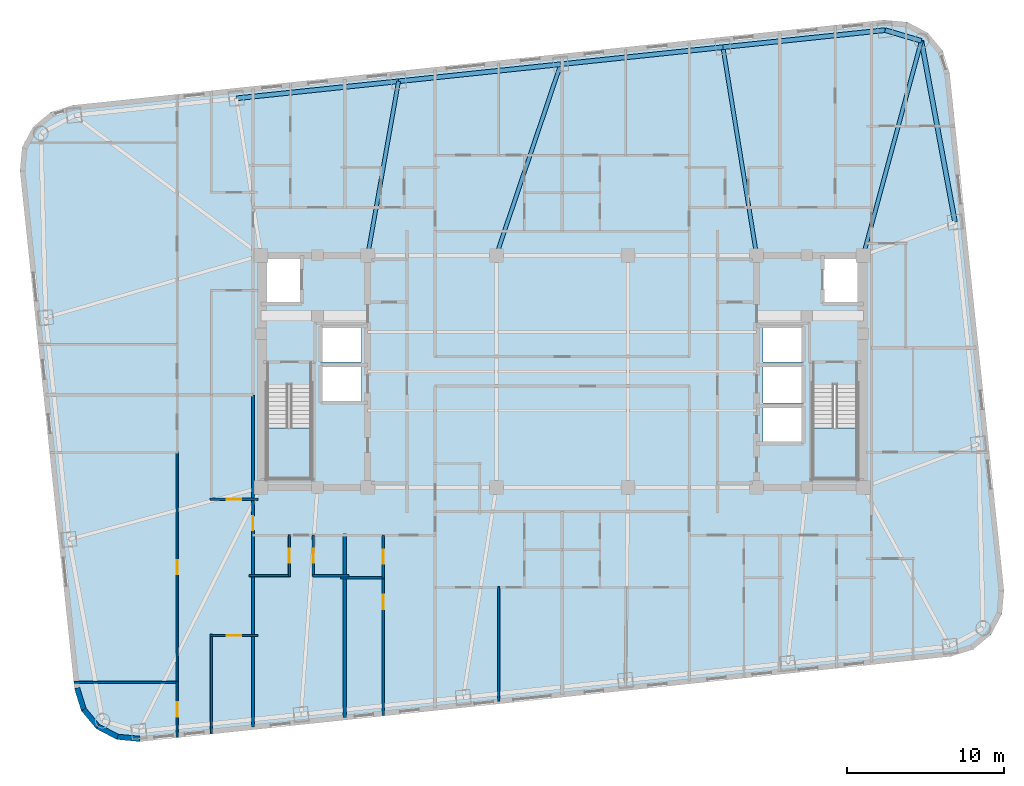
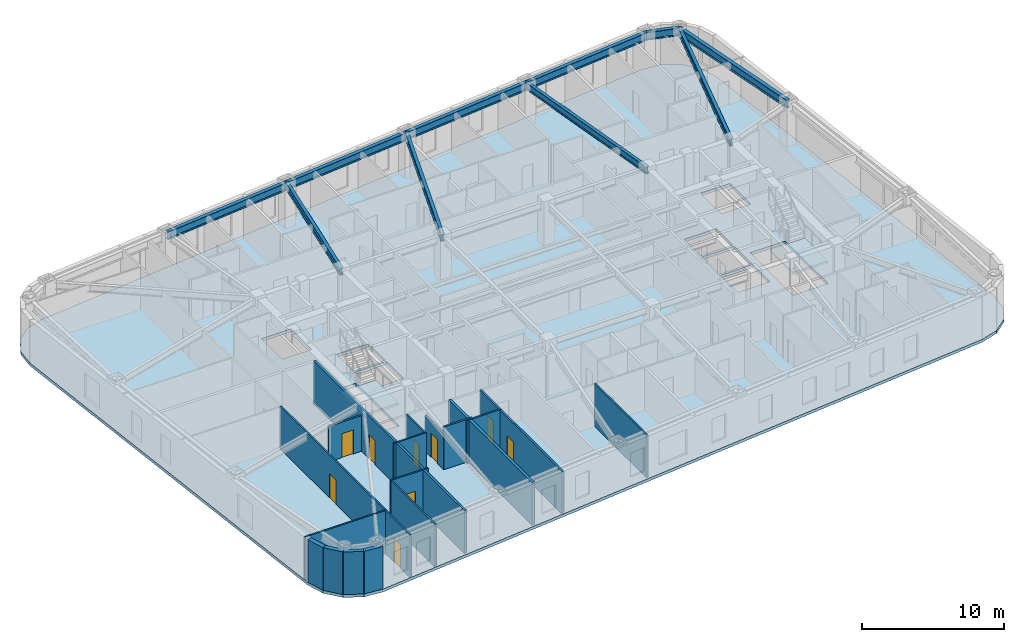
# One storey, part 2 of 11: 20 walls, 10 beams, 9 doors, 3 slabs, 9 openings, 2 elements without a shape of their own.
"""IFC4 building model written with IfcOpenShell, lengths in metres."""

from ifc_helpers import new_model, si_unit, direction, frame, frame_2d, origin, origin_2d, place, context, subcontext, project, spatial, polyline, rectangle, i_section, outline, extrude, material, layer, layer_set, material_profile, profile_set, type_object, element, fill, aggregate, save


model = new_model("IFC4")

# Units and contexts
model_context = context("Model", 3, precision=1e-05, world=origin(), true_north=direction((0.0, 1.0)))
body_context = subcontext(model_context, "Body", "Model", "MODEL_VIEW")
ifc_project = project(units=[si_unit("LENGTHUNIT", "METRE"), si_unit("AREAUNIT", "SQUARE_METRE"), si_unit("VOLUMEUNIT", "CUBIC_METRE"), si_unit("PLANEANGLEUNIT", "RADIAN"), si_unit("MASSUNIT", "GRAM", prefix="KILO")], contexts=[model_context])

# Site, building, storey
site_placement = place(None, origin())
site = spatial("IfcSite", under=ifc_project, at=site_placement, CompositionType="ELEMENT")
building_placement = place(site_placement, origin())
building = spatial("IfcBuilding", under=site, at=building_placement, Name="Voryun Gate Residences", CompositionType="ELEMENT")
storey_placement = place(building_placement, frame((0.0, 0.0, 156.0)))
storey = spatial("IfcBuildingStorey", under=building, at=storey_placement, Name="L38", CompositionType="ELEMENT", Elevation=156.0)

# Beams
ifc_material_1 = material(Name="Steel SM355", Category="steel")
ifc_material_profile_1 = material_profile(ifc_material_1, i_section(OverallWidth=0.300048828125, OverallDepth=0.679931640625, WebThickness=0.013916015625, FlangeThickness=0.02490234375, FilletRadius=0.01806640625, at=origin_2d()), Name="H-680x300x14x25")
ifc_profile_set_1 = profile_set([ifc_material_profile_1], Name="Steel SM355")
beam_type_1 = type_object("IfcBeamType", Name="BM_EXO_SPANDREL_M", PredefinedType="SPANDREL", material=ifc_profile_set_1)
beam_1_placement = place(storey_placement, frame((25.047119140625, 9.51806640625, 3.31005859375), z_axis=(-0.182267768769, 0.983248931079, 0.0), x_axis=(-0.983248931079, -0.182267768769, 0.0)))
element("IfcBeam", 1, at=beam_1_placement, inside=storey, type_object=beam_type_1, Name="BM-L38-SPAND-09", PredefinedType="SPANDREL", context=body_context, shape_type="SweptSolid", body=[
    extrude(i_section(OverallWidth=0.300048828125, OverallDepth=0.679931640625, WebThickness=0.013916015625, FlangeThickness=0.02490234375, FilletRadius=0.01806640625, at=origin_2d()), origin(), (0.0, 0.0, 1.0), 11.753662109375),
])
beam_2_placement = place(storey_placement, frame((22.90478515625, 21.074951171875, 3.31005859375), z_axis=(-0.958843048967, 0.283936625758, 0.0), x_axis=(-0.283936625758, -0.958843048967, 0.0)))
element("IfcBeam", 2, at=beam_2_placement, inside=storey, type_object=beam_type_1, Name="BM-L38-SPAND-10", PredefinedType="SPANDREL", context=body_context, shape_type="SweptSolid", body=[
    extrude(i_section(OverallWidth=0.300048828125, OverallDepth=0.679931640625, WebThickness=0.013916015625, FlangeThickness=0.02490234375, FilletRadius=0.01806640625, at=origin_2d()), origin(), (0.0, 0.0, 1.0), 2.410888671875),
])
for number, where, z_axis, x_axis, name in (
    (3, (20.593017578125, 21.759521484375, 3.31005859375), (-0.994521263116, -0.104534478571, 0.0), (0.104534478571, -0.994521263116, 0.0), "BM-L38-SPAND-11"),
    (4, (10.25, 20.67236328125, 3.31005859375), (-0.99452370336, -0.10451125994, 0.0), (0.10451125994, -0.99452370336, 0.0), "BM-L38-SPAND-12"),
    (5, (-0.093017578125, 19.58544921875, 3.31005859375), (-0.994521263116, -0.104534478571, 0.0), (0.104534478571, -0.994521263116, 0.0), "BM-L38-SPAND-13"),
    (6, (-10.43603515625, 18.498291015625, 3.31005859375), (-0.994521263116, -0.104534478571, 0.0), (0.104534478571, -0.994521263116, 0.0), "BM-L38-SPAND-14"),
):
    element("IfcBeam", number, at=place(storey_placement, frame(where, z_axis=z_axis, x_axis=x_axis)), inside=storey, type_object=beam_type_1, Name=name, PredefinedType="SPANDREL", context=body_context, shape_type="SweptSolid", body=[
        extrude(i_section(OverallWidth=0.300048828125, OverallDepth=0.679931640625, WebThickness=0.013916015625, FlangeThickness=0.02490234375, FilletRadius=0.01806640625, at=origin_2d()), origin(), (0.0, 0.0, 1.0), 10.39990234375),
    ])
ifc_material_2 = material(Name="Steel SM355", Category="steel")
ifc_material_profile_2 = material_profile(ifc_material_2, i_section(OverallWidth=0.25, OverallDepth=0.60009765625, WebThickness=0.011962890625, FlangeThickness=0.02197265625, FilletRadius=0.01806640625, at=origin_2d()), Name="H-600x250x12x22")
ifc_profile_set_2 = profile_set([ifc_material_profile_2], Name="Steel SM355")
beam_type_2 = type_object("IfcBeamType", Name="BM_GIRD_600", PredefinedType="USERDEFINED", material=ifc_profile_set_2)
beam_3_placement = place(storey_placement, frame((19.199951171875, 7.39990234375, 3.35009765625), z_axis=(0.261492735838, 0.965205443988, 0.0), x_axis=(-0.965205443988, 0.261492735838, 0.0)))
element("IfcBeam", 7, at=beam_3_placement, inside=storey, type_object=beam_type_2, Name="BM-L38-RAD-CNE", ObjectType="GIRDER", PredefinedType="USERDEFINED", context=body_context, shape_type="SweptSolid", body=[
    extrude(i_section(OverallWidth=0.25, OverallDepth=0.60009765625, WebThickness=0.011962890625, FlangeThickness=0.02197265625, FilletRadius=0.01806640625, at=origin_2d()), origin(), (0.0, 0.0, 1.0), 14.16796875),
])
beam_4_placement = place(storey_placement, frame((12.39990234375, 7.39990234375, 3.35009765625), z_axis=(-0.159898055533, 0.987133532931, 0.0), x_axis=(-0.987133532931, -0.159898055533, 0.0)))
element("IfcBeam", 8, at=beam_4_placement, inside=storey, type_object=beam_type_2, Name="BM-L38-RAD-N2", ObjectType="GIRDER", PredefinedType="USERDEFINED", context=body_context, shape_type="SweptSolid", body=[
    extrude(i_section(OverallWidth=0.25, OverallDepth=0.60009765625, WebThickness=0.011962890625, FlangeThickness=0.02197265625, FilletRadius=0.01806640625, at=origin_2d()), origin(), (0.0, 0.0, 1.0), 13.445556640625),
])
beam_5_placement = place(storey_placement, frame((-4.199951171875, 7.39990234375, 3.35009765625), z_axis=(0.319381479956, 0.947626229197, 0.0), x_axis=(-0.947626229197, 0.319381479956, 0.0)))
element("IfcBeam", 9, at=beam_5_placement, inside=storey, type_object=beam_type_2, Name="BM-L38-RAD-N3", ObjectType="GIRDER", PredefinedType="USERDEFINED", context=body_context, shape_type="SweptSolid", body=[
    extrude(i_section(OverallWidth=0.25, OverallDepth=0.60009765625, WebThickness=0.011962890625, FlangeThickness=0.02197265625, FilletRadius=0.01806640625, at=origin_2d()), origin(), (0.0, 0.0, 1.0), 12.859130859375),
])
beam_6_placement = place(storey_placement, frame((-12.39990234375, 7.39990234375, 3.35009765625), z_axis=(0.174243764839, 0.984702549207, 0.0), x_axis=(-0.984702549207, 0.174243764839, 0.0)))
element("IfcBeam", 10, at=beam_6_placement, inside=storey, type_object=beam_type_2, Name="BM-L38-RAD-N4", ObjectType="GIRDER", PredefinedType="USERDEFINED", context=body_context, shape_type="SweptSolid", body=[
    extrude(i_section(OverallWidth=0.25, OverallDepth=0.60009765625, WebThickness=0.011962890625, FlangeThickness=0.02197265625, FilletRadius=0.01806640625, at=origin_2d()), origin(), (0.0, 0.0, 1.0), 11.270751953125),
])

# Slab
ifc_material_3 = material(Name="Concrete C40/50", Category="concrete")
ifc_layer_1 = layer(ifc_material_3, 0.25, Name="SLB_RES_250")
ifc_layer_set_1 = layer_set([ifc_layer_1], Name="Concrete C40/50")
slab_type_1 = type_object("IfcSlabType", Name="SLB_RES_250", PredefinedType="FLOOR", material=ifc_layer_set_1)
slab_1_placement = place(storey_placement, frame((0.0, 0.0, -0.25)))
element("IfcSlab", 11, at=slab_1_placement, inside=storey, type_object=slab_type_1, Name="L38 Structural Floor Slab", PredefinedType="FLOOR", context=body_context, shape_type="SweptSolid", body=[
    extrude(outline(polyline([(-26.92529296875, -23.60595703125), (-28.401611328125, -23.47021484375), (-29.7138671875, -22.780029296875), (-30.661865234375, -21.639892578125), (-31.1015625, -20.22412109375), (-34.572021484375, 12.794189453125), (-34.436279296875, 14.2705078125), (-33.745849609375, 15.582763671875), (-32.60595703125, 16.53076171875), (-31.18994140625, 16.970458984375), (20.525146484375, 22.406005859375), (22.001708984375, 22.270263671875), (23.313720703125, 21.580078125), (24.261962890625, 20.43994140625), (24.70166015625, 19.02392578125), (28.171875, -13.994140625), (28.036376953125, -15.470458984375), (27.345947265625, -16.78271484375), (26.2060546875, -17.730712890625), (24.7900390625, -18.17041015625), (-26.92529296875, -23.60595703125)]), holes=[polyline([(-15.97509765625, -6.85009765625), (-15.97509765625, -0.840087890625), (-18.824951171875, -0.840087890625), (-18.824951171875, -6.85009765625), (-15.97509765625, -6.85009765625)]), polyline([(18.824951171875, -6.85009765625), (18.824951171875, -0.840087890625), (15.97509765625, -0.840087890625), (15.97509765625, -6.85009765625), (18.824951171875, -6.85009765625)]), polyline([(15.39990234375, -2.199951171875), (12.800048828125, -2.199951171875), (12.800048828125, -4.60009765625), (15.39990234375, -4.60009765625), (15.39990234375, -2.199951171875)]), polyline([(-12.800048828125, 0.39990234375), (-15.39990234375, 0.39990234375), (-15.39990234375, -2.0), (-12.800048828125, -2.0), (-12.800048828125, 0.39990234375)]), polyline([(15.39990234375, 0.39990234375), (12.800048828125, 0.39990234375), (12.800048828125, -2.0), (15.39990234375, -2.0), (15.39990234375, 0.39990234375)]), polyline([(-12.800048828125, 2.89990234375), (-15.39990234375, 2.89990234375), (-15.39990234375, 0.60009765625), (-12.800048828125, 0.60009765625), (-12.800048828125, 2.89990234375)]), polyline([(15.39990234375, 2.89990234375), (12.800048828125, 2.89990234375), (12.800048828125, 0.60009765625), (15.39990234375, 0.60009765625), (15.39990234375, 2.89990234375)]), polyline([(-16.60009765625, 4.300048828125), (-16.60009765625, 7.199951171875), (-19.0, 7.199951171875), (-19.0, 4.300048828125), (-16.60009765625, 4.300048828125)]), polyline([(19.0, 4.300048828125), (19.0, 7.199951171875), (16.60009765625, 7.199951171875), (16.60009765625, 4.300048828125), (19.0, 4.300048828125)])]), origin(), (0.0, 0.0, 1.0), 0.25),
])

# Stair, slab
ifc_material_4 = material(Name="Concrete C40/50", Category="concrete")
stair_type = type_object("IfcStairType", Name="STR_CORE_DOGLEG_1350", PredefinedType="HALF_TURN_STAIR", material=ifc_material_4)
stair_1_placement = place(storey_placement, origin())
stair_1 = element("IfcStair", 12, at=stair_1_placement, inside=storey, type_object=stair_type, Name="L38 Special Escape Stair ST-W1", PredefinedType="HALF_TURN_STAIR")
ifc_material_5 = material(Name="Concrete C40/50", Category="concrete")
ifc_layer_2 = layer(ifc_material_5, 0.199951171875, Name="SLB_STAIR_LANDING_200")
ifc_layer_set_2 = layer_set([ifc_layer_2], Name="Concrete C40/50")
slab_type_2 = type_object("IfcSlabType", Name="SLB_STAIR_LANDING_200", PredefinedType="LANDING", material=ifc_layer_set_2)
slab_2_placement = place(storey_placement, frame((0.0, 0.0, 1.75)))
slab_2 = element("IfcSlab", 13, at=slab_2_placement, type_object=slab_type_2, Name="ST-W1 landing 1", PredefinedType="LANDING", context=body_context, shape_type="SweptSolid", body=[
    extrude(outline(polyline([(-18.824951171875, -3.60009765625), (-18.824951171875, -6.85009765625), (-15.97509765625, -6.85009765625), (-15.97509765625, -3.60009765625), (-18.824951171875, -3.60009765625)])), origin(), (0.0, 0.0, 1.0), 0.199951171875),
])
aggregate(stair_1, [slab_2])

stair_2_placement = place(storey_placement, origin())
stair_2 = element("IfcStair", 14, at=stair_2_placement, inside=storey, type_object=stair_type, Name="L38 Special Escape Stair ST-E1", PredefinedType="HALF_TURN_STAIR")
slab_3_placement = place(storey_placement, frame((0.0, 0.0, 1.75)))
slab_3 = element("IfcSlab", 15, at=slab_3_placement, type_object=slab_type_2, Name="ST-E1 landing 1", PredefinedType="LANDING", context=body_context, shape_type="SweptSolid", body=[
    extrude(outline(polyline([(15.97509765625, -3.60009765625), (15.97509765625, -6.85009765625), (18.824951171875, -6.85009765625), (18.824951171875, -3.60009765625), (15.97509765625, -3.60009765625)])), origin(), (0.0, 0.0, 1.0), 0.199951171875),
])
aggregate(stair_2, [slab_3])

# Wall, opening, door
ifc_material_6 = material(Name="Gypsum acoustic fireboard")
ifc_layer_3 = layer(ifc_material_6, 0.179931640625, Name="W_CORR_RATED_180")
ifc_layer_set_3 = layer_set([ifc_layer_3], Name="Gypsum acoustic fireboard")
wall_type_1 = type_object("IfcWallType", Name="W_CORR_RATED_180", PredefinedType="PARTITIONING", material=ifc_layer_set_3)
wall_1_placement = place(storey_placement, frame((-19.719970703125, -22.677734375, 0.0), z_axis=(0.0, 0.0, 1.0), x_axis=(0.0, 1.0, 0.0)))
wall_1 = element("IfcWall", 16, at=wall_1_placement, inside=storey, type_object=wall_type_1, Name="Partition wall WP-L38-WCOR1", PredefinedType="PARTITIONING", context=body_context, shape_type="SweptSolid", body=[
    extrude(rectangle(XDim=21.177734375, YDim=0.179931640625, at=frame_2d((10.5888671875, 0.0))), origin(), (0.0, 0.0, 1.0), 3.64990234375),
])
opening_1_placement = place(wall_1_placement, frame((12.546875, 0.0, 0.0)))
opening_1 = element("IfcOpeningElement", 17, at=opening_1_placement, cuts=wall_1, Name="Opening D-INT-2", PredefinedType="OPENING", context=body_context, shape_type="SweptSolid", body=[
    extrude(rectangle(XDim=0.89990234375, YDim=2.050048828125, at=frame_2d((0.449951171875, 1.02490234375))), frame((0.0, 0.099853515625, 0.0), z_axis=(0.0, -1.0, 0.0), x_axis=(1.0, 0.0, 0.0)), (0.0, 0.0, 1.0), 0.199951171875),
])
ifc_material_7 = material(Name="Architectural oak veneer")
door_type_1 = type_object("IfcDoorType", Name="DR_INT_BATH_900", OperationType="NOTDEFINED", PredefinedType="DOOR", material=ifc_material_7)
door_1_placement = place(opening_1_placement, origin())
door_1 = element("IfcDoor", 18, at=door_1_placement, inside=storey, type_object=door_type_1, Name="Door DR-L38-WE1", OperationType="SINGLE_SWING_LEFT", OverallHeight=2.050048828125, OverallWidth=0.89990234375, PredefinedType="DOOR", context=body_context, shape_type="SweptSolid", body=[
    extrude(rectangle(XDim=0.89990234375, YDim=2.050048828125, at=frame_2d((0.449951171875, 1.02490234375))), frame((0.0, 0.02490234375, 0.0), z_axis=(0.0, -1.0, 0.0), x_axis=(1.0, 0.0, 0.0)), (0.0, 0.0, 1.0), 0.050048828125),
])
fill(opening_1, door_1)

# Walls
ifc_material_8 = material(Name="Charcoal terracotta masonry", Category="masonry")
ifc_layer_4 = layer(ifc_material_8, 0.340087890625, Name="W_EXT_TERRACOTTA_340")
ifc_layer_set_4 = layer_set([ifc_layer_4], Name="Charcoal terracotta masonry")
wall_type_2 = type_object("IfcWallType", Name="W_EXT_TERRACOTTA_340", PredefinedType="ELEMENTEDWALL", material=ifc_layer_set_4)
wall_2_placement = place(storey_placement, frame((-26.92626953125, -23.435302734375, 0.0), z_axis=(0.0, 0.0, 1.0), x_axis=(-0.995800460351, 0.091550222087, 0.0)))
element("IfcWall", 19, at=wall_2_placement, inside=storey, type_object=wall_type_2, Name="Exterior wall WEXT-L38-02", PredefinedType="ELEMENTEDWALL", context=body_context, shape_type="SweptSolid", body=[
    extrude(rectangle(XDim=1.43212890625, YDim=0.340087890625, at=frame_2d((0.716064453125, 0.0))), origin(), (0.0, 0.0, 1.0), 3.64990234375),
])
wall_3_placement = place(storey_placement, frame((-28.352294921875, -23.30419921875, 0.0), z_axis=(0.0, 0.0, 1.0), x_axis=(-0.884989312682, 0.465611336243, 0.0)))
element("IfcWall", 20, at=wall_3_placement, inside=storey, type_object=wall_type_2, Name="Exterior wall WEXT-L38-03", PredefinedType="ELEMENTEDWALL", context=body_context, shape_type="SweptSolid", body=[
    extrude(rectangle(XDim=1.415283203125, YDim=0.340087890625, at=frame_2d((0.70751953125, 0.0))), origin(), (0.0, 0.0, 1.0), 3.64990234375),
])
wall_4_placement = place(storey_placement, frame((-29.604736328125, -22.645263671875, 0.0), z_axis=(0.0, 0.0, 1.0), x_axis=(-0.639437361921, 0.768843196093, 0.0)))
element("IfcWall", 21, at=wall_4_placement, inside=storey, type_object=wall_type_2, Name="Exterior wall WEXT-L38-04", PredefinedType="ELEMENTEDWALL", context=body_context, shape_type="SweptSolid", body=[
    extrude(rectangle(XDim=1.4150390625, YDim=0.340087890625, at=frame_2d((0.70751953125, 0.0))), origin(), (0.0, 0.0, 1.0), 3.64990234375),
])
wall_5_placement = place(storey_placement, frame((-30.509521484375, -21.557373046875, 0.0), z_axis=(0.0, 0.0, 1.0), x_axis=(-0.296624409546, 0.9549942197, 0.0)))
element("IfcWall", 22, at=wall_5_placement, inside=storey, type_object=wall_type_2, Name="Exterior wall WEXT-L38-05", PredefinedType="ELEMENTEDWALL", context=body_context, shape_type="SweptSolid", body=[
    extrude(rectangle(XDim=1.43212890625, YDim=0.340087890625, at=frame_2d((0.716064453125, 0.0))), origin(), (0.0, 0.0, 1.0), 3.64990234375),
])
ifc_material_9 = material(Name="Concrete C40/50", Category="concrete")
ifc_layer_5 = layer(ifc_material_9, 0.219970703125, Name="W_PARTY_ACOUSTIC_220")
ifc_layer_set_5 = layer_set([ifc_layer_5], Name="Concrete C40/50")
wall_type_3 = type_object("IfcWallType", Name="W_PARTY_ACOUSTIC_220", PredefinedType="PARTITIONING", material=ifc_layer_set_5)
wall_6_placement = place(storey_placement, frame((-13.864990234375, -22.0625, 0.0), z_axis=(0.0, 0.0, 1.0), x_axis=(0.0, 1.0, 0.0)))
element("IfcWall", 23, at=wall_6_placement, inside=storey, type_object=wall_type_3, Name="Partition wall WP-L38-SPTY-1", PredefinedType="PARTITIONING", context=body_context, shape_type="SweptSolid", body=[
    extrude(rectangle(XDim=11.6923828125, YDim=0.219970703125, at=frame_2d((5.84619140625, 0.0))), origin(), (0.0, 0.0, 1.0), 3.64990234375),
])

# Wall, opening, door
ifc_material_10 = material(Name="Gypsum acoustic partition")
ifc_layer_6 = layer(ifc_material_10, 0.125, Name="W_UNIT_PART_125")
ifc_layer_set_6 = layer_set([ifc_layer_6], Name="Gypsum acoustic partition")
wall_type_4 = type_object("IfcWallType", Name="W_UNIT_PART_125", PredefinedType="PARTITIONING", material=ifc_layer_set_6)
wall_7_placement = place(storey_placement, frame((-17.39990234375, -13.080078125, 0.0), z_axis=(0.0, 0.0, 1.0), x_axis=(0.0, 1.0, 0.0)))
wall_7 = element("IfcWall", 24, at=wall_7_placement, inside=storey, type_object=wall_type_4, Name="Partition wall WP-L38-S1-CVK", PredefinedType="PARTITIONING", context=body_context, shape_type="SweptSolid", body=[
    extrude(rectangle(XDim=2.650146484375, YDim=0.125, at=frame_2d((1.3251953125, 0.0))), origin(), (0.0, 0.0, 1.0), 3.64990234375),
])
opening_2_placement = place(wall_7_placement, frame((0.875, 0.0, 0.0)))
opening_2 = element("IfcOpeningElement", 25, at=opening_2_placement, cuts=wall_7, Name="Opening D-INT-2", PredefinedType="OPENING", context=body_context, shape_type="SweptSolid", body=[
    extrude(rectangle(XDim=0.89990234375, YDim=2.050048828125, at=frame_2d((0.449951171875, 1.02490234375))), frame((0.0, 0.072509765625, 0.0), z_axis=(0.0, -1.0, 0.0), x_axis=(1.0, 0.0, 0.0)), (0.0, 0.0, 1.0), 0.14501953125),
])
door_2_placement = place(opening_2_placement, origin())
door_2 = element("IfcDoor", 26, at=door_2_placement, inside=storey, type_object=door_type_1, Name="Door DR-L38-S1-DK", OperationType="SINGLE_SWING_LEFT", OverallHeight=2.050048828125, OverallWidth=0.89990234375, PredefinedType="DOOR", context=body_context, shape_type="SweptSolid", body=[
    extrude(rectangle(XDim=0.89990234375, YDim=2.050048828125, at=frame_2d((0.449951171875, 1.02490234375))), frame((0.0, 0.02490234375, 0.0), z_axis=(0.0, -1.0, 0.0), x_axis=(1.0, 0.0, 0.0)), (0.0, 0.0, 1.0), 0.050048828125),
])
fill(opening_2, door_2)

# Walls
wall_8_placement = place(storey_placement, frame((-19.969970703125, -13.02001953125, 0.0), z_axis=(0.0, 0.0, 1.0), x_axis=(1.0, 0.0, 0.0)))
element("IfcWall", 27, at=wall_8_placement, inside=storey, type_object=wall_type_4, Name="Partition wall WP-L38-S1-CHK", PredefinedType="PARTITIONING", context=body_context, shape_type="SweptSolid", body=[
    extrude(rectangle(XDim=2.6298828125, YDim=0.125, at=frame_2d((1.31494140625, 0.0))), origin(), (0.0, 0.0, 1.0), 3.64990234375),
])
wall_9_placement = place(storey_placement, frame((-4.050048828125, -21.03076171875, 0.0), z_axis=(0.0, 0.0, 1.0), x_axis=(0.0, 1.0, 0.0)))
element("IfcWall", 28, at=wall_9_placement, inside=storey, type_object=wall_type_4, Name="Partition wall WP-L38-SC1-VBD", PredefinedType="PARTITIONING", context=body_context, shape_type="SweptSolid", body=[
    extrude(rectangle(XDim=7.290771484375, YDim=0.125, at=frame_2d((3.6455078125, 0.0))), origin(), (0.0, 0.0, 1.0), 3.64990234375),
])
wall_10_placement = place(storey_placement, frame((-31.122802734375, -19.8310546875, 0.0), z_axis=(0.0, 0.0, 1.0), x_axis=(1.0, 0.0, 0.0)))
element("IfcWall", 29, at=wall_10_placement, inside=storey, type_object=wall_type_4, Name="Partition wall WP-L38-W1-OH1", PredefinedType="PARTITIONING", context=body_context, shape_type="SweptSolid", body=[
    extrude(rectangle(XDim=6.65283203125, YDim=0.125, at=frame_2d((3.326416015625, 0.0))), origin(), (0.0, 0.0, 1.0), 3.64990234375),
])

# Wall, opening, door
wall_11_placement = place(storey_placement, frame((-24.550048828125, -23.336181640625, 0.0), z_axis=(0.0, 0.0, 1.0), x_axis=(0.0, 1.0, 0.0)))
wall_11 = element("IfcWall", 30, at=wall_11_placement, inside=storey, type_object=wall_type_4, Name="Partition wall WP-L38-W1-OVX1", PredefinedType="PARTITIONING", context=body_context, shape_type="SweptSolid", body=[
    extrude(rectangle(XDim=3.55517578125, YDim=0.125, at=frame_2d((1.777587890625, 0.0))), origin(), (0.0, 0.0, 1.0), 3.64990234375),
])
opening_3_placement = place(wall_11_placement, frame((1.32763671875, 0.0, 0.0)))
opening_3 = element("IfcOpeningElement", 31, at=opening_3_placement, cuts=wall_11, Name="Opening D-INT-2", PredefinedType="OPENING", context=body_context, shape_type="SweptSolid", body=[
    extrude(rectangle(XDim=0.89990234375, YDim=2.050048828125, at=frame_2d((0.449951171875, 1.02490234375))), frame((0.0, 0.072509765625, 0.0), z_axis=(0.0, -1.0, 0.0), x_axis=(1.0, 0.0, 0.0)), (0.0, 0.0, 1.0), 0.14501953125),
])
door_3_placement = place(opening_3_placement, origin())
door_3 = element("IfcDoor", 32, at=door_3_placement, inside=storey, type_object=door_type_1, Name="Door DR-L38-W1-DBD2", OperationType="SINGLE_SWING_LEFT", OverallHeight=2.050048828125, OverallWidth=0.89990234375, PredefinedType="DOOR", context=body_context, shape_type="SweptSolid", body=[
    extrude(rectangle(XDim=0.89990234375, YDim=2.050048828125, at=frame_2d((0.449951171875, 1.02490234375))), frame((0.0, 0.02490234375, 0.0), z_axis=(0.0, -1.0, 0.0), x_axis=(1.0, 0.0, 0.0)), (0.0, 0.0, 1.0), 0.050048828125),
])
fill(opening_3, door_3)

wall_12_placement = place(storey_placement, frame((-24.550048828125, -19.881103515625, 0.0), z_axis=(0.0, 0.0, 1.0), x_axis=(0.0, 1.0, 0.0)))
wall_12 = element("IfcWall", 33, at=wall_12_placement, inside=storey, type_object=wall_type_4, Name="Partition wall WP-L38-W1-OVX2", PredefinedType="PARTITIONING", context=body_context, shape_type="SweptSolid", body=[
    extrude(rectangle(XDim=14.760009765625, YDim=0.125, at=frame_2d((7.3798828125, 0.0))), origin(), (0.0, 0.0, 1.0), 3.64990234375),
])
opening_4_placement = place(wall_12_placement, frame((6.929931640625, 0.0, 0.0)))
opening_4 = element("IfcOpeningElement", 34, at=opening_4_placement, cuts=wall_12, Name="Opening D-INT-2", PredefinedType="OPENING", context=body_context, shape_type="SweptSolid", body=[
    extrude(rectangle(XDim=0.89990234375, YDim=2.050048828125, at=frame_2d((0.449951171875, 1.02490234375))), frame((0.0, 0.072509765625, 0.0), z_axis=(0.0, -1.0, 0.0), x_axis=(1.0, 0.0, 0.0)), (0.0, 0.0, 1.0), 0.14501953125),
])
door_4_placement = place(opening_4_placement, origin())
door_4 = element("IfcDoor", 35, at=door_4_placement, inside=storey, type_object=door_type_1, Name="Door DR-L38-W1-DSTD", OperationType="SINGLE_SWING_RIGHT", OverallHeight=2.050048828125, OverallWidth=0.89990234375, PredefinedType="DOOR", context=body_context, shape_type="SweptSolid", body=[
    extrude(rectangle(XDim=0.89990234375, YDim=2.050048828125, at=frame_2d((0.449951171875, 1.02490234375))), frame((0.0, 0.02490234375, 0.0), z_axis=(0.0, -1.0, 0.0), x_axis=(1.0, 0.0, 0.0)), (0.0, 0.0, 1.0), 0.050048828125),
])
fill(opening_4, door_4)

wall_13_placement = place(storey_placement, frame((-22.449951171875, -16.842041015625, 0.0), z_axis=(0.0, 0.0, 1.0), x_axis=(1.0, 0.0, 0.0)))
wall_13 = element("IfcWall", 36, at=wall_13_placement, inside=storey, type_object=wall_type_4, Name="Partition wall WP-L38-W1-IKA", PredefinedType="PARTITIONING", context=body_context, shape_type="SweptSolid", body=[
    extrude(rectangle(XDim=3.050048828125, YDim=0.125, at=frame_2d((1.52490234375, 0.0))), origin(), (0.0, 0.0, 1.0), 3.64990234375),
])
opening_5_placement = place(wall_13_placement, frame((1.050048828125, 0.0, 0.0)))
opening_5 = element("IfcOpeningElement", 37, at=opening_5_placement, cuts=wall_13, Name="Opening D-INT-1", PredefinedType="OPENING", context=body_context, shape_type="SweptSolid", body=[
    extrude(rectangle(XDim=0.949951171875, YDim=2.050048828125, at=frame_2d((0.47509765625, 1.02490234375))), frame((0.0, 0.072509765625, 0.0), z_axis=(0.0, -1.0, 0.0), x_axis=(1.0, 0.0, 0.0)), (0.0, 0.0, 1.0), 0.14501953125),
])
ifc_material_11 = material(Name="Architectural oak veneer")
door_type_2 = type_object("IfcDoorType", Name="DR_INT_ROOM_950", OperationType="NOTDEFINED", PredefinedType="DOOR", material=ifc_material_11)
door_5_placement = place(opening_5_placement, origin())
door_5 = element("IfcDoor", 38, at=door_5_placement, inside=storey, type_object=door_type_2, Name="Door DR-L38-W1-DK", OperationType="SINGLE_SWING_LEFT", OverallHeight=2.050048828125, OverallWidth=0.949951171875, PredefinedType="DOOR", context=body_context, shape_type="SweptSolid", body=[
    extrude(rectangle(XDim=0.949951171875, YDim=2.050048828125, at=frame_2d((0.47509765625, 1.02490234375))), frame((0.0, 0.02490234375, 0.0), z_axis=(0.0, -1.0, 0.0), x_axis=(1.0, 0.0, 0.0)), (0.0, 0.0, 1.0), 0.050048828125),
])
fill(opening_5, door_5)

# Wall
wall_14_placement = place(storey_placement, frame((-22.3701171875, -23.107177734375, 0.0), z_axis=(0.0, 0.0, 1.0), x_axis=(0.0, 1.0, 0.0)))
element("IfcWall", 39, at=wall_14_placement, inside=storey, type_object=wall_type_4, Name="Partition wall WP-L38-W1-VTA", PredefinedType="PARTITIONING", context=body_context, shape_type="SweptSolid", body=[
    extrude(rectangle(XDim=6.34521484375, YDim=0.125, at=frame_2d((3.172607421875, 0.0))), origin(), (0.0, 0.0, 1.0), 3.64990234375),
])

# Wall, opening, door
ifc_material_12 = material(Name="Gypsum moisture-resistant partition")
ifc_layer_7 = layer(ifc_material_12, 0.14990234375, Name="W_WET_PLUMB_150")
ifc_layer_set_7 = layer_set([ifc_layer_7], Name="Gypsum moisture-resistant partition")
wall_type_5 = type_object("IfcWallType", Name="W_WET_PLUMB_150", PredefinedType="PLUMBINGWALL", material=ifc_layer_set_7)
wall_15_placement = place(storey_placement, frame((-15.8720703125, -13.080078125, 0.0), z_axis=(0.0, 0.0, 1.0), x_axis=(0.0, 1.0, 0.0)))
wall_15 = element("IfcWall", 40, at=wall_15_placement, inside=storey, type_object=wall_type_5, Name="Partition wall WP-L38-S1-CVB", PredefinedType="PLUMBINGWALL", context=body_context, shape_type="SweptSolid", body=[
    extrude(rectangle(XDim=2.650146484375, YDim=0.14990234375, at=frame_2d((1.3251953125, 0.0))), origin(), (0.0, 0.0, 1.0), 3.0400390625),
])
opening_6_placement = place(wall_15_placement, frame((0.875, 0.0, 0.0)))
opening_6 = element("IfcOpeningElement", 41, at=opening_6_placement, cuts=wall_15, Name="Opening D-INT-2", PredefinedType="OPENING", context=body_context, shape_type="SweptSolid", body=[
    extrude(rectangle(XDim=0.89990234375, YDim=2.050048828125, at=frame_2d((0.449951171875, 1.02490234375))), frame((0.0, 0.0849609375, 0.0), z_axis=(0.0, -1.0, 0.0), x_axis=(1.0, 0.0, 0.0)), (0.0, 0.0, 1.0), 0.169921875),
])
door_6_placement = place(opening_6_placement, origin())
door_6 = element("IfcDoor", 42, at=door_6_placement, inside=storey, type_object=door_type_1, Name="Door DR-L38-S1-DB", OperationType="SINGLE_SWING_RIGHT", OverallHeight=2.050048828125, OverallWidth=0.89990234375, PredefinedType="DOOR", context=body_context, shape_type="SweptSolid", body=[
    extrude(rectangle(XDim=0.89990234375, YDim=2.050048828125, at=frame_2d((0.449951171875, 1.02490234375))), frame((0.0, 0.02490234375, 0.0), z_axis=(0.0, -1.0, 0.0), x_axis=(1.0, 0.0, 0.0)), (0.0, 0.0, 1.0), 0.050048828125),
])
fill(opening_6, door_6)

# Walls
wall_16_placement = place(storey_placement, frame((-15.931884765625, -13.02001953125, 0.0), z_axis=(0.0, 0.0, 1.0), x_axis=(1.0, 0.0, 0.0)))
element("IfcWall", 43, at=wall_16_placement, inside=storey, type_object=wall_type_5, Name="Partition wall WP-L38-S1-CHB", PredefinedType="PLUMBINGWALL", context=body_context, shape_type="SweptSolid", body=[
    extrude(rectangle(XDim=2.326904296875, YDim=0.14990234375, at=frame_2d((1.16357421875, 0.0))), origin(), (0.0, 0.0, 1.0), 3.64990234375),
])
wall_17_placement = place(storey_placement, frame((-14.125, -13.14990234375, 0.0), z_axis=(0.0, 0.0, 1.0), x_axis=(1.0, 0.0, 0.0)))
element("IfcWall", 44, at=wall_17_placement, inside=storey, type_object=wall_type_5, Name="Partition wall WP-L38-S2-SKB", PredefinedType="PLUMBINGWALL", context=body_context, shape_type="SweptSolid", body=[
    extrude(rectangle(XDim=2.802001953125, YDim=0.14990234375, at=frame_2d((1.40087890625, 0.0))), origin(), (0.0, 0.0, 1.0), 3.64990234375),
])

# Wall, opening, door
wall_18_placement = place(storey_placement, frame((-11.403076171875, -21.954345703125, 0.0), z_axis=(0.0, 0.0, 1.0), x_axis=(0.0, 1.0, 0.0)))
wall_18 = element("IfcWall", 45, at=wall_18_placement, inside=storey, type_object=wall_type_5, Name="Partition wall WP-L38-S2-SVT1", PredefinedType="PLUMBINGWALL", context=body_context, shape_type="SweptSolid", body=[
    extrude(rectangle(XDim=8.84423828125, YDim=0.14990234375, at=frame_2d((4.422119140625, 0.0))), origin(), (0.0, 0.0, 1.0), 3.64990234375),
])
opening_7_placement = place(wall_18_placement, frame((6.802490234375, 0.0, 0.0)))
opening_7 = element("IfcOpeningElement", 46, at=opening_7_placement, cuts=wall_18, Name="Opening D-INT-2", PredefinedType="OPENING", context=body_context, shape_type="SweptSolid", body=[
    extrude(rectangle(XDim=0.89990234375, YDim=2.050048828125, at=frame_2d((0.449951171875, 1.02490234375))), frame((0.0, 0.0849609375, 0.0), z_axis=(0.0, -1.0, 0.0), x_axis=(1.0, 0.0, 0.0)), (0.0, 0.0, 1.0), 0.169921875),
])
door_7_placement = place(opening_7_placement, origin())
door_7 = element("IfcDoor", 47, at=door_7_placement, inside=storey, type_object=door_type_1, Name="Door DR-L38-S2-DK", OperationType="SINGLE_SWING_LEFT", OverallHeight=2.050048828125, OverallWidth=0.89990234375, PredefinedType="DOOR", context=body_context, shape_type="SweptSolid", body=[
    extrude(rectangle(XDim=0.89990234375, YDim=2.050048828125, at=frame_2d((0.449951171875, 1.02490234375))), frame((0.0, 0.02490234375, 0.0), z_axis=(0.0, -1.0, 0.0), x_axis=(1.0, 0.0, 0.0)), (0.0, 0.0, 1.0), 0.050048828125),
])
fill(opening_7, door_7)

wall_19_placement = place(storey_placement, frame((-11.403076171875, -13.18994140625, 0.0), z_axis=(0.0, 0.0, 1.0), x_axis=(0.0, 1.0, 0.0)))
wall_19 = element("IfcWall", 48, at=wall_19_placement, inside=storey, type_object=wall_type_5, Name="Partition wall WP-L38-S2-SVT2", PredefinedType="PLUMBINGWALL", context=body_context, shape_type="SweptSolid", body=[
    extrude(rectangle(XDim=2.760009765625, YDim=0.14990234375, at=frame_2d((1.3798828125, 0.0))), origin(), (0.0, 0.0, 1.0), 3.64990234375),
])
opening_8_placement = place(wall_19_placement, frame((0.929931640625, 0.0, 0.0)))
opening_8 = element("IfcOpeningElement", 49, at=opening_8_placement, cuts=wall_19, Name="Opening D-INT-2", PredefinedType="OPENING", context=body_context, shape_type="SweptSolid", body=[
    extrude(rectangle(XDim=0.89990234375, YDim=2.050048828125, at=frame_2d((0.449951171875, 1.02490234375))), frame((0.0, 0.0849609375, 0.0), z_axis=(0.0, -1.0, 0.0), x_axis=(1.0, 0.0, 0.0)), (0.0, 0.0, 1.0), 0.169921875),
])
door_8_placement = place(opening_8_placement, origin())
door_8 = element("IfcDoor", 50, at=door_8_placement, inside=storey, type_object=door_type_1, Name="Door DR-L38-S2-DB", OperationType="SINGLE_SWING_RIGHT", OverallHeight=2.050048828125, OverallWidth=0.89990234375, PredefinedType="DOOR", context=body_context, shape_type="SweptSolid", body=[
    extrude(rectangle(XDim=0.89990234375, YDim=2.050048828125, at=frame_2d((0.449951171875, 1.02490234375))), frame((0.0, 0.02490234375, 0.0), z_axis=(0.0, -1.0, 0.0), x_axis=(1.0, 0.0, 0.0)), (0.0, 0.0, 1.0), 0.050048828125),
])
fill(opening_8, door_8)

wall_20_placement = place(storey_placement, frame((-22.449951171875, -8.159912109375, 0.0), z_axis=(0.0, 0.0, 1.0), x_axis=(1.0, 0.0, 0.0)))
wall_20 = element("IfcWall", 51, at=wall_20_placement, inside=storey, type_object=wall_type_5, Name="Partition wall WP-L38-W1-IBB", PredefinedType="PLUMBINGWALL", context=body_context, shape_type="SweptSolid", body=[
    extrude(rectangle(XDim=3.050048828125, YDim=0.14990234375, at=frame_2d((1.52490234375, 0.0))), origin(), (0.0, 0.0, 1.0), 3.0400390625),
])
opening_9_placement = place(wall_20_placement, frame((1.074951171875, 0.0, 0.0)))
opening_9 = element("IfcOpeningElement", 52, at=opening_9_placement, cuts=wall_20, Name="Opening D-INT-2", PredefinedType="OPENING", context=body_context, shape_type="SweptSolid", body=[
    extrude(rectangle(XDim=0.89990234375, YDim=2.050048828125, at=frame_2d((0.449951171875, 1.02490234375))), frame((0.0, 0.0849609375, 0.0), z_axis=(0.0, -1.0, 0.0), x_axis=(1.0, 0.0, 0.0)), (0.0, 0.0, 1.0), 0.169921875),
])
door_9_placement = place(opening_9_placement, origin())
door_9 = element("IfcDoor", 53, at=door_9_placement, inside=storey, type_object=door_type_1, Name="Door DR-L38-W1-DB", OperationType="SINGLE_SWING_RIGHT", OverallHeight=2.050048828125, OverallWidth=0.89990234375, PredefinedType="DOOR", context=body_context, shape_type="SweptSolid", body=[
    extrude(rectangle(XDim=0.89990234375, YDim=2.050048828125, at=frame_2d((0.449951171875, 1.02490234375))), frame((0.0, 0.02490234375, 0.0), z_axis=(0.0, -1.0, 0.0), x_axis=(1.0, 0.0, 0.0)), (0.0, 0.0, 1.0), 0.050048828125),
])
fill(opening_9, door_9)

save(model, "model.ifc")
